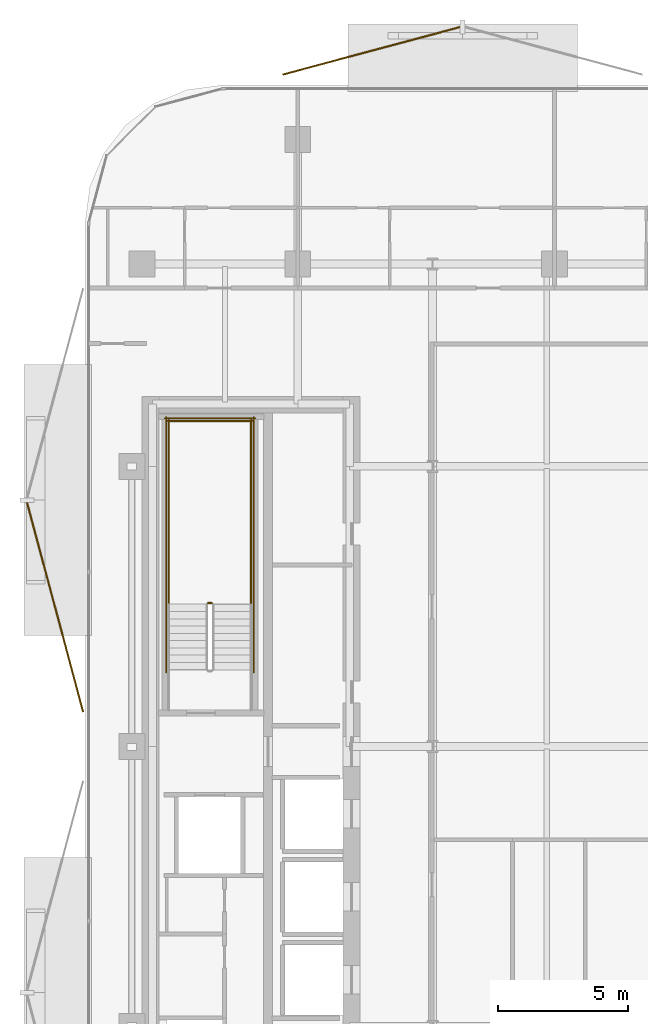
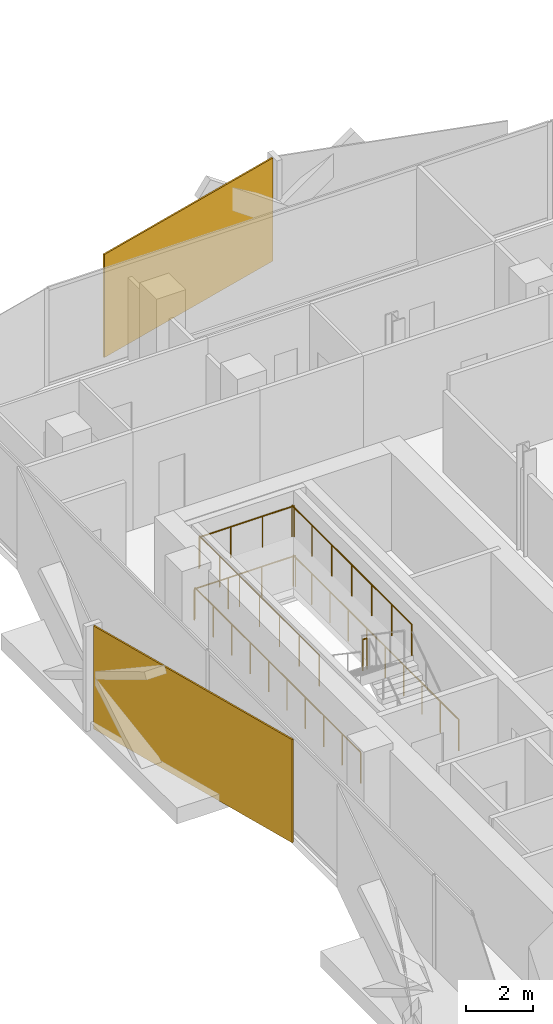
# One storey, part 16 of 17: 7 railings, 2 coverings.
"""IFC4 building model written with IfcOpenShell, lengths in metres."""

from ifc_helpers import new_model, si_unit, direction, frame, origin, origin_2d, place, context, subcontext, project, spatial, rectangle, circle, extrude, material, layer, layer_set, type_object, element, save


model = new_model("IFC4")

# Units and contexts
model_context = context("Model", 3, precision=1e-05, world=origin(), true_north=direction((0.0, 1.0)))
body_context = subcontext(model_context, "Body", "Model", "MODEL_VIEW")
ifc_project = project(units=[si_unit("LENGTHUNIT", "METRE"), si_unit("AREAUNIT", "SQUARE_METRE"), si_unit("VOLUMEUNIT", "CUBIC_METRE"), si_unit("PLANEANGLEUNIT", "RADIAN"), si_unit("MASSUNIT", "GRAM", prefix="KILO")], contexts=[model_context])

# Site, building, storey
site_placement = place(None, origin())
site = spatial("IfcSite", under=ifc_project, at=site_placement, CompositionType="ELEMENT")
building_placement = place(site_placement, origin())
building = spatial("IfcBuilding", under=site, at=building_placement, Name="Khairoan Windgate Tower", CompositionType="ELEMENT")
storey_placement = place(building_placement, frame((0.0, 0.0, 165.0)))
storey = spatial("IfcBuildingStorey", under=building, at=storey_placement, Name="L37", CompositionType="ELEMENT", Elevation=165.0)

# Coverings
ifc_material_1 = material(Name="Anodised Bronze Aluminium 6063-T6", Category="aluminium")
ifc_layer = layer(ifc_material_1, 0.054931640625, Name="Anodised Bronze Aluminium 6063-T6")
ifc_layer_set = layer_set([ifc_layer], Name="Anodised Bronze Aluminium 6063-T6")
covering_type = type_object("IfcCoveringType", Name="Perforated Bronze-Ceramic Folded Solar Screen Cladding BSC-1", PredefinedType="CLADDING", material=ifc_layer_set)
covering_1_placement = place(storey_placement, frame((-23.7587890625, 5.369873046875, -0.10009765625), z_axis=(0.0, 0.0, 1.0), x_axis=(-0.258819045103, 0.965925826289, 0.0)))
element("IfcCovering", 1, at=covering_1_placement, inside=storey, type_object=covering_type, Name="L37 Folded Bronze Solar Screen Facet 236L", PredefinedType="CLADDING", context=body_context, shape_type="SweptSolid", body=[
    extrude(rectangle(XDim=8.35595703125, YDim=0.054931640625, at=origin_2d()), origin(), (0.0, 0.0, 1.0), 3.739990234375),
])
covering_2_placement = place(storey_placement, frame((-11.5546875, 26.82373046875, -0.10009765625), z_axis=(0.0, 0.0, 1.0), x_axis=(0.965925826289, 0.258819045103, 0.0)))
element("IfcCovering", 2, at=covering_2_placement, inside=storey, type_object=covering_type, Name="L37 Folded Bronze Solar Screen Facet 237L", PredefinedType="CLADDING", context=body_context, shape_type="SweptSolid", body=[
    extrude(rectangle(XDim=7.080078125, YDim=0.054931640625, at=origin_2d()), origin(), (0.0, 0.0, 1.0), 3.739990234375),
])

# Railings
ifc_material_2 = material(Name="Steel S355", Category="steel")
railing_type = type_object("IfcRailingType", Name="Stairwell Safety Guardrail SGR-1150", PredefinedType="GUARDRAIL", material=ifc_material_2)
railing_1_placement = place(storey_placement, frame((-17.7099609375, 5.530029296875, 1.89990234375)))
element("IfcRailing", 3, at=railing_1_placement, inside=storey, type_object=railing_type, Name="L37 ST2 stair guard 2", PredefinedType="GUARDRAIL", context=body_context, shape_type="SweptSolid", body=[
    extrude(circle(Radius=0.02392578125, at=origin_2d()), frame((0.0, 0.0, 1.1259765625), z_axis=(-1.0, 0.0, 0.0), x_axis=(0.0, -1.0, 0.0)), (0.0, 0.0, 1.0), 0.150146484375),
    extrude(circle(Radius=0.02099609375, at=origin_2d()), origin(), (0.0, 0.0, 1.0), 1.101806640625),
    extrude(circle(Radius=0.02099609375, at=origin_2d()), frame((-0.150146484375, 0.0, 0.0)), (0.0, 0.0, 1.0), 1.101806640625),
])
for number, where, name in (
    (4, (-16.199951171875, 5.47998046875, 1.89990234375), "L37 ST2 stair guard 3"),
    (5, (-19.3701171875, 5.47998046875, 1.89990234375), "L37 ST2 stair guard 4"),
):
    element("IfcRailing", number, at=place(storey_placement, frame(where)), inside=storey, type_object=railing_type, Name=name, PredefinedType="GUARDRAIL", context=body_context, shape_type="SweptSolid", body=[
        extrude(circle(Radius=0.02392578125, at=origin_2d()), frame((0.0, 0.0, 1.1259765625), z_axis=(0.0, 1.0, 0.0), x_axis=(-1.0, 0.0, 0.0)), (0.0, 0.0, 1.0), 7.1201171875),
        extrude(circle(Radius=0.02099609375, at=origin_2d()), origin(), (0.0, 0.0, 1.0), 1.101806640625),
        extrude(circle(Radius=0.02099609375, at=origin_2d()), frame((0.0, 1.186767578125, 0.0)), (0.0, 0.0, 1.0), 1.101806640625),
        extrude(circle(Radius=0.02099609375, at=origin_2d()), frame((0.0, 2.373291015625, 0.0)), (0.0, 0.0, 1.0), 1.101806640625),
        extrude(circle(Radius=0.02099609375, at=origin_2d()), frame((0.0, 3.56005859375, 0.0)), (0.0, 0.0, 1.0), 1.101806640625),
        extrude(circle(Radius=0.02099609375, at=origin_2d()), frame((0.0, 4.746826171875, 0.0)), (0.0, 0.0, 1.0), 1.101806640625),
        extrude(circle(Radius=0.02099609375, at=origin_2d()), frame((0.0, 5.933349609375, 0.0)), (0.0, 0.0, 1.0), 1.101806640625),
        extrude(circle(Radius=0.02099609375, at=origin_2d()), frame((0.0, 7.1201171875, 0.0)), (0.0, 0.0, 1.0), 1.101806640625),
    ])
railing_2_placement = place(storey_placement, frame((-16.14990234375, 12.550048828125, 1.89990234375)))
element("IfcRailing", 6, at=railing_2_placement, inside=storey, type_object=railing_type, Name="L37 ST2 stair guard 5", PredefinedType="GUARDRAIL", context=body_context, shape_type="SweptSolid", body=[
    extrude(circle(Radius=0.02392578125, at=origin_2d()), frame((0.0, 0.0, 1.1259765625), z_axis=(-1.0, 0.0, 0.0), x_axis=(0.0, -1.0, 0.0)), (0.0, 0.0, 1.0), 3.27001953125),
    extrude(circle(Radius=0.02099609375, at=origin_2d()), origin(), (0.0, 0.0, 1.0), 1.101806640625),
    extrude(circle(Radius=0.02099609375, at=origin_2d()), frame((-1.090087890625, 0.0, 0.0)), (0.0, 0.0, 1.0), 1.101806640625),
    extrude(circle(Radius=0.02099609375, at=origin_2d()), frame((-2.179931640625, 0.0, 0.0)), (0.0, 0.0, 1.0), 1.101806640625),
    extrude(circle(Radius=0.02099609375, at=origin_2d()), frame((-3.27001953125, 0.0, 0.0)), (0.0, 0.0, 1.0), 1.101806640625),
])
for number, where, name in (
    (7, (-16.10009765625, 2.860107421875, 0.0), "L37 ST2 stair guard 10"),
    (8, (-19.469970703125, 2.860107421875, 0.0), "L37 ST2 stair guard 11"),
):
    element("IfcRailing", number, at=place(storey_placement, frame(where)), inside=storey, type_object=railing_type, Name=name, PredefinedType="GUARDRAIL", context=body_context, shape_type="SweptSolid", body=[
        extrude(circle(Radius=0.02392578125, at=origin_2d()), frame((0.0, 0.0, 1.1259765625), z_axis=(0.0, 1.0, 0.0), x_axis=(-1.0, 0.0, 0.0)), (0.0, 0.0, 1.0), 9.83984375),
        extrude(circle(Radius=0.02099609375, at=origin_2d()), origin(), (0.0, 0.0, 1.0), 1.101806640625),
        extrude(circle(Radius=0.02099609375, at=origin_2d()), frame((0.0, 1.09326171875, 0.0)), (0.0, 0.0, 1.0), 1.101806640625),
        extrude(circle(Radius=0.02099609375, at=origin_2d()), frame((0.0, 2.1865234375, 0.0)), (0.0, 0.0, 1.0), 1.101806640625),
        extrude(circle(Radius=0.02099609375, at=origin_2d()), frame((0.0, 3.280029296875, 0.0)), (0.0, 0.0, 1.0), 1.101806640625),
        extrude(circle(Radius=0.02099609375, at=origin_2d()), frame((0.0, 4.373291015625, 0.0)), (0.0, 0.0, 1.0), 1.101806640625),
        extrude(circle(Radius=0.02099609375, at=origin_2d()), frame((0.0, 5.466552734375, 0.0)), (0.0, 0.0, 1.0), 1.101806640625),
        extrude(circle(Radius=0.02099609375, at=origin_2d()), frame((0.0, 6.559814453125, 0.0)), (0.0, 0.0, 1.0), 1.101806640625),
        extrude(circle(Radius=0.02099609375, at=origin_2d()), frame((0.0, 7.6533203125, 0.0)), (0.0, 0.0, 1.0), 1.101806640625),
        extrude(circle(Radius=0.02099609375, at=origin_2d()), frame((0.0, 8.74658203125, 0.0)), (0.0, 0.0, 1.0), 1.101806640625),
        extrude(circle(Radius=0.02099609375, at=origin_2d()), frame((0.0, 9.83984375, 0.0)), (0.0, 0.0, 1.0), 1.101806640625),
    ])
railing_3_placement = place(storey_placement, frame((-16.050048828125, 12.64990234375, 0.0)))
element("IfcRailing", 9, at=railing_3_placement, inside=storey, type_object=railing_type, Name="L37 ST2 stair guard 12", PredefinedType="GUARDRAIL", context=body_context, shape_type="SweptSolid", body=[
    extrude(circle(Radius=0.02392578125, at=origin_2d()), frame((0.0, 0.0, 1.1259765625), z_axis=(-1.0, 0.0, 0.0), x_axis=(0.0, -1.0, 0.0)), (0.0, 0.0, 1.0), 3.469970703125),
    extrude(circle(Radius=0.02099609375, at=origin_2d()), origin(), (0.0, 0.0, 1.0), 1.101806640625),
    extrude(circle(Radius=0.02099609375, at=origin_2d()), frame((-1.15673828125, 0.0, 0.0)), (0.0, 0.0, 1.0), 1.101806640625),
    extrude(circle(Radius=0.02099609375, at=origin_2d()), frame((-2.313232421875, 0.0, 0.0)), (0.0, 0.0, 1.0), 1.101806640625),
    extrude(circle(Radius=0.02099609375, at=origin_2d()), frame((-3.469970703125, 0.0, 0.0)), (0.0, 0.0, 1.0), 1.101806640625),
])

save(model, "model.ifc")
